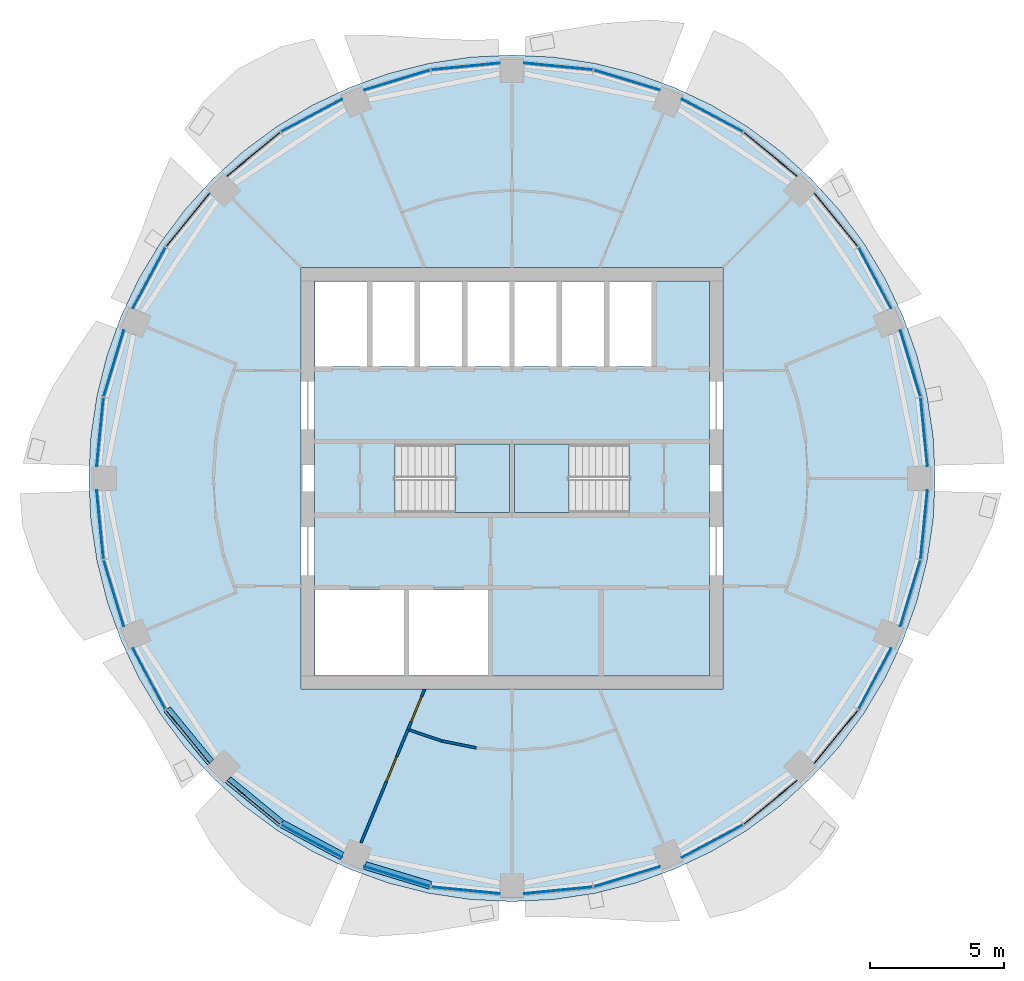
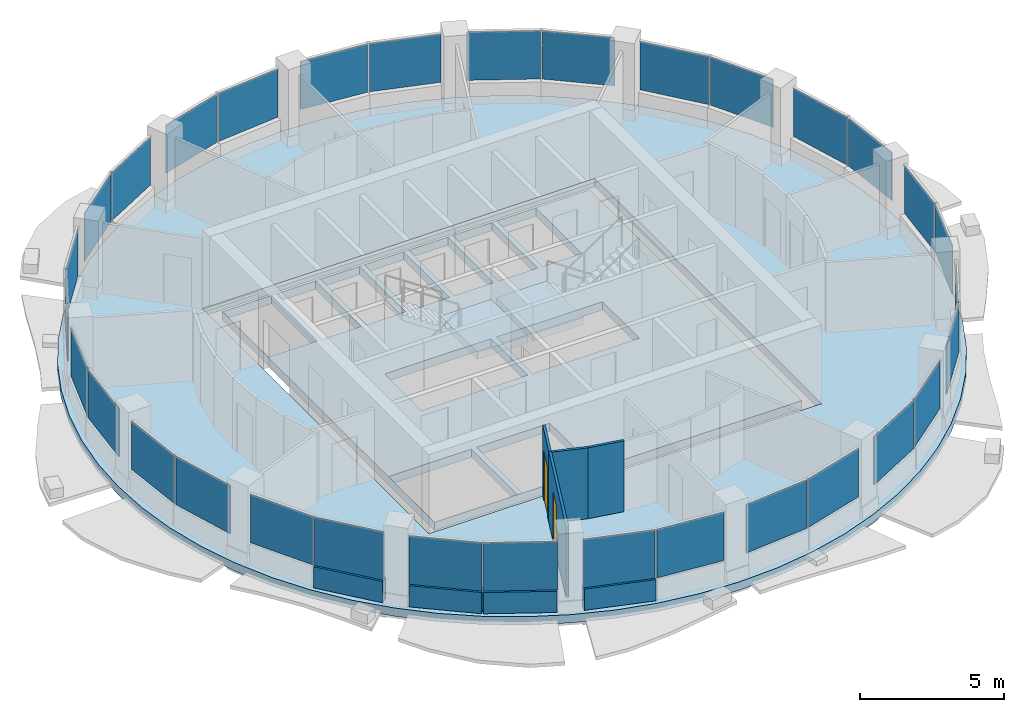
# One storey, part 6 of 14: 32 plates, 8 walls, 4 slabs, 2 doors, 2 openings, 18 elements without a shape of their own.
"""IFC4 building model written with IfcOpenShell, lengths in metres."""

from ifc_helpers import new_model, si_unit, direction, frame, frame_2d, origin, origin_2d, place, context, subcontext, project, spatial, polyline, rectangle, outline, extrude, material, layer, layer_set, type_object, element, fill, aggregate, save


model = new_model("IFC4")

# Units and contexts
model_context = context("Model", 3, precision=1e-05, world=origin(), true_north=direction((0.0, 1.0)))
body_context = subcontext(model_context, "Body", "Model", "MODEL_VIEW")
ifc_project = project(units=[si_unit("LENGTHUNIT", "METRE"), si_unit("AREAUNIT", "SQUARE_METRE"), si_unit("VOLUMEUNIT", "CUBIC_METRE"), si_unit("PLANEANGLEUNIT", "RADIAN"), si_unit("MASSUNIT", "GRAM", prefix="KILO")], contexts=[model_context])

# Site, building, storey
site_placement = place(None, origin())
site = spatial("IfcSite", under=ifc_project, at=site_placement, CompositionType="ELEMENT")
building_placement = place(site_placement, origin())
building = spatial("IfcBuilding", under=site, at=building_placement, Name="Polderwave Tower", CompositionType="ELEMENT")
storey_placement = place(building_placement, frame((0.0, 0.0, 217.800048828125)))
storey = spatial("IfcBuildingStorey", under=building, at=storey_placement, Name="L59", CompositionType="ELEMENT", Elevation=217.800048828125)

# Slab
ifc_material_1 = material(Name="Concrete C40/50", Category="concrete")
ifc_layer_1 = layer(ifc_material_1, 0.35009765625)
ifc_layer_set_1 = layer_set([ifc_layer_1], Name="Core floor slab 350")
slab_type_1 = type_object("IfcSlabType", Name="Core floor slab 350", PredefinedType="FLOOR", material=ifc_layer_set_1)
slab_1_placement = place(storey_placement, frame((0.0, 0.0, -0.35009765625)))
element("IfcSlab", 1, at=slab_1_placement, inside=storey, type_object=slab_type_1, Name="L59 core floor", PredefinedType="FLOOR", context=body_context, shape_type="SweptSolid", body=[
    extrude(outline(polyline([(-7.3740234375, -7.3740234375), (7.3740234375, -7.3740234375), (7.3740234375, 7.3740234375), (-7.3740234375, 7.3740234375), (-7.3740234375, -7.3740234375)]), holes=[polyline([(-7.35400390625, -7.35400390625), (-4.037109375, -7.35400390625), (-4.037109375, -4.174072265625), (-7.35400390625, -4.174072265625), (-7.35400390625, -7.35400390625)]), polyline([(-3.8369140625, -7.35400390625), (-0.89990234375, -7.35400390625), (-0.89990234375, -4.174072265625), (-3.8369140625, -4.174072265625), (-3.8369140625, -7.35400390625)]), polyline([(-7.35400390625, 4.174072265625), (-5.405517578125, 4.174072265625), (-5.405517578125, 7.35400390625), (-7.35400390625, 7.35400390625), (-7.35400390625, 4.174072265625)]), polyline([(-5.20556640625, 4.174072265625), (-3.636962890625, 4.174072265625), (-3.636962890625, 7.35400390625), (-5.20556640625, 7.35400390625), (-5.20556640625, 4.174072265625)]), polyline([(-3.43701171875, 4.174072265625), (-1.868408203125, 4.174072265625), (-1.868408203125, 7.35400390625), (-3.43701171875, 7.35400390625), (-3.43701171875, 4.174072265625)]), polyline([(-1.66845703125, 4.174072265625), (-0.10009765625, 4.174072265625), (-0.10009765625, 7.35400390625), (-1.66845703125, 7.35400390625), (-1.66845703125, 4.174072265625)]), polyline([(0.10009765625, 4.174072265625), (1.66845703125, 4.174072265625), (1.66845703125, 7.35400390625), (0.10009765625, 7.35400390625), (0.10009765625, 4.174072265625)]), polyline([(1.868408203125, 4.174072265625), (3.43701171875, 4.174072265625), (3.43701171875, 7.35400390625), (1.868408203125, 7.35400390625), (1.868408203125, 4.174072265625)]), polyline([(3.636962890625, 4.174072265625), (5.20556640625, 4.174072265625), (5.20556640625, 7.35400390625), (3.636962890625, 7.35400390625), (3.636962890625, 4.174072265625)]), polyline([(-4.37353515625, -1.2744140625), (-0.1005859375, -1.2744140625), (-0.1005859375, 1.2744140625), (-4.37353515625, 1.2744140625), (-4.37353515625, -1.2744140625)]), polyline([(0.1005859375, -1.2744140625), (4.37353515625, -1.2744140625), (4.37353515625, 1.2744140625), (0.1005859375, 1.2744140625), (0.1005859375, -1.2744140625)])]), origin(), (0.0, 0.0, 1.0), 0.35009765625),
])

# Curtain wall, plates
ifc_material_2 = material(Name="Aluminium 6063-T6 and glass", Category="aluminium")
curtain_wall_type = type_object("IfcCurtainWallType", Name="Office ribbon glazing wall", PredefinedType="NOTDEFINED", material=ifc_material_2)
curtain_wall_1_placement = place(storey_placement, origin())
curtain_wall_1 = element("IfcCurtainWall", 2, at=curtain_wall_1_placement, inside=storey, type_object=curtain_wall_type, Name="CW3 L59 00", PredefinedType="NOTDEFINED")
ifc_material_3 = material(Name="Glass, low-e laminated double glazing", Category="glass")
ifc_layer_2 = layer(ifc_material_3, 0.031982421875)
ifc_layer_set_2 = layer_set([ifc_layer_2], Name="Office ribbon glazing glass panel 32 mm")
plate_type = type_object("IfcPlateType", Name="Office ribbon glazing glass panel 32 mm", PredefinedType="CURTAIN_PANEL", material=ifc_layer_set_2)
plate_1_placement = place(storey_placement, frame((15.3798828125, 1.728271484375, 0.89990234375), z_axis=(0.0, 0.0, 1.0), x_axis=(-0.098206463381, 0.995166061796, 0.0)))
plate_1 = element("IfcPlate", 3, at=plate_1_placement, type_object=plate_type, Name="CW3 panel 1", PredefinedType="CURTAIN_PANEL", context=body_context, shape_type="SweptSolid", body=[
    extrude(rectangle(XDim=2.569091796875, YDim=0.031982421875, at=origin_2d()), origin(), (0.0, 0.0, 1.0), 2.0400390625),
])
plate_2_placement = place(storey_placement, frame((14.87060546875, 4.289306640625, 0.89990234375), z_axis=(0.0, 0.0, 1.0), x_axis=(-0.290104293095, 0.956995036104, 0.0)))
plate_2 = element("IfcPlate", 4, at=plate_2_placement, type_object=plate_type, Name="CW3 panel 2", PredefinedType="CURTAIN_PANEL", context=body_context, shape_type="SweptSolid", body=[
    extrude(rectangle(XDim=2.568115234375, YDim=0.031982421875, at=origin_2d()), origin(), (0.0, 0.0, 1.0), 2.0400390625),
])
aggregate(curtain_wall_1, [plate_1, plate_2])

curtain_wall_2_placement = place(storey_placement, origin())
curtain_wall_2 = element("IfcCurtainWall", 5, at=curtain_wall_2_placement, inside=storey, type_object=curtain_wall_type, Name="CW3 L59 01", PredefinedType="NOTDEFINED")
plate_3_placement = place(storey_placement, frame((13.547607421875, 7.482421875, 0.89990234375), z_axis=(0.0, 0.0, 1.0), x_axis=(-0.471547575742, 0.881840622682, 0.0)))
plate_3 = element("IfcPlate", 6, at=plate_3_placement, type_object=plate_type, Name="CW3 panel 1", PredefinedType="CURTAIN_PANEL", context=body_context, shape_type="SweptSolid", body=[
    extrude(rectangle(XDim=2.568115234375, YDim=0.031982421875, at=origin_2d()), origin(), (0.0, 0.0, 1.0), 2.0400390625),
])
plate_4_placement = place(storey_placement, frame((12.0966796875, 9.653076171875, 0.89990234375), z_axis=(0.0, 0.0, 1.0), x_axis=(-0.634370348203, 0.77302927585, 0.0)))
plate_4 = element("IfcPlate", 7, at=plate_4_placement, type_object=plate_type, Name="CW3 panel 2", PredefinedType="CURTAIN_PANEL", context=body_context, shape_type="SweptSolid", body=[
    extrude(rectangle(XDim=2.56884765625, YDim=0.031982421875, at=origin_2d()), origin(), (0.0, 0.0, 1.0), 2.0400390625),
])
aggregate(curtain_wall_2, [plate_3, plate_4])

curtain_wall_3_placement = place(storey_placement, origin())
curtain_wall_3 = element("IfcCurtainWall", 8, at=curtain_wall_3_placement, inside=storey, type_object=curtain_wall_type, Name="CW3 L59 02", PredefinedType="NOTDEFINED")
plate_5_placement = place(storey_placement, frame((9.653076171875, 12.0966796875, 0.89990234375), z_axis=(0.0, 0.0, 1.0), x_axis=(-0.77302927585, 0.634370348203, 0.0)))
plate_5 = element("IfcPlate", 9, at=plate_5_placement, type_object=plate_type, Name="CW3 panel 1", PredefinedType="CURTAIN_PANEL", context=body_context, shape_type="SweptSolid", body=[
    extrude(rectangle(XDim=2.56884765625, YDim=0.031982421875, at=origin_2d()), origin(), (0.0, 0.0, 1.0), 2.0400390625),
])
plate_6_placement = place(storey_placement, frame((7.482421875, 13.547607421875, 0.89990234375), z_axis=(0.0, 0.0, 1.0), x_axis=(-0.881840622682, 0.471547575742, 0.0)))
plate_6 = element("IfcPlate", 10, at=plate_6_placement, type_object=plate_type, Name="CW3 panel 2", PredefinedType="CURTAIN_PANEL", context=body_context, shape_type="SweptSolid", body=[
    extrude(rectangle(XDim=2.568115234375, YDim=0.031982421875, at=origin_2d()), origin(), (0.0, 0.0, 1.0), 2.0400390625),
])
aggregate(curtain_wall_3, [plate_5, plate_6])

curtain_wall_4_placement = place(storey_placement, origin())
curtain_wall_4 = element("IfcCurtainWall", 11, at=curtain_wall_4_placement, inside=storey, type_object=curtain_wall_type, Name="CW3 L59 03", PredefinedType="NOTDEFINED")
plate_7_placement = place(storey_placement, frame((4.289306640625, 14.87060546875, 0.89990234375), z_axis=(0.0, 0.0, 1.0), x_axis=(-0.956995036104, 0.290104293095, 0.0)))
plate_7 = element("IfcPlate", 12, at=plate_7_placement, type_object=plate_type, Name="CW3 panel 1", PredefinedType="CURTAIN_PANEL", context=body_context, shape_type="SweptSolid", body=[
    extrude(rectangle(XDim=2.568115234375, YDim=0.031982421875, at=origin_2d()), origin(), (0.0, 0.0, 1.0), 2.0400390625),
])
plate_8_placement = place(storey_placement, frame((1.728271484375, 15.3798828125, 0.89990234375), z_axis=(0.0, 0.0, 1.0), x_axis=(-0.995166061796, 0.098206463381, 0.0)))
plate_8 = element("IfcPlate", 13, at=plate_8_placement, type_object=plate_type, Name="CW3 panel 2", PredefinedType="CURTAIN_PANEL", context=body_context, shape_type="SweptSolid", body=[
    extrude(rectangle(XDim=2.569091796875, YDim=0.031982421875, at=origin_2d()), origin(), (0.0, 0.0, 1.0), 2.0400390625),
])
aggregate(curtain_wall_4, [plate_7, plate_8])

curtain_wall_5_placement = place(storey_placement, origin())
curtain_wall_5 = element("IfcCurtainWall", 14, at=curtain_wall_5_placement, inside=storey, type_object=curtain_wall_type, Name="CW3 L59 04", PredefinedType="NOTDEFINED")
plate_9_placement = place(storey_placement, frame((-1.728271484375, 15.3798828125, 0.89990234375), z_axis=(0.0, 0.0, 1.0), x_axis=(-0.995166061796, -0.098206463381, 0.0)))
plate_9 = element("IfcPlate", 15, at=plate_9_placement, type_object=plate_type, Name="CW3 panel 1", PredefinedType="CURTAIN_PANEL", context=body_context, shape_type="SweptSolid", body=[
    extrude(rectangle(XDim=2.569091796875, YDim=0.031982421875, at=origin_2d()), origin(), (0.0, 0.0, 1.0), 2.0400390625),
])
plate_10_placement = place(storey_placement, frame((-4.289306640625, 14.87060546875, 0.89990234375), z_axis=(0.0, 0.0, 1.0), x_axis=(-0.956995036104, -0.290104293095, 0.0)))
plate_10 = element("IfcPlate", 16, at=plate_10_placement, type_object=plate_type, Name="CW3 panel 2", PredefinedType="CURTAIN_PANEL", context=body_context, shape_type="SweptSolid", body=[
    extrude(rectangle(XDim=2.568115234375, YDim=0.031982421875, at=origin_2d()), origin(), (0.0, 0.0, 1.0), 2.0400390625),
])
aggregate(curtain_wall_5, [plate_9, plate_10])

curtain_wall_6_placement = place(storey_placement, origin())
curtain_wall_6 = element("IfcCurtainWall", 17, at=curtain_wall_6_placement, inside=storey, type_object=curtain_wall_type, Name="CW3 L59 05", PredefinedType="NOTDEFINED")
plate_11_placement = place(storey_placement, frame((-7.482421875, 13.547607421875, 0.89990234375), z_axis=(0.0, 0.0, 1.0), x_axis=(-0.881840622682, -0.471547575742, 0.0)))
plate_11 = element("IfcPlate", 18, at=plate_11_placement, type_object=plate_type, Name="CW3 panel 1", PredefinedType="CURTAIN_PANEL", context=body_context, shape_type="SweptSolid", body=[
    extrude(rectangle(XDim=2.568115234375, YDim=0.031982421875, at=origin_2d()), origin(), (0.0, 0.0, 1.0), 2.0400390625),
])
plate_12_placement = place(storey_placement, frame((-9.653076171875, 12.0966796875, 0.89990234375), z_axis=(0.0, 0.0, 1.0), x_axis=(-0.77302927585, -0.634370348203, 0.0)))
plate_12 = element("IfcPlate", 19, at=plate_12_placement, type_object=plate_type, Name="CW3 panel 2", PredefinedType="CURTAIN_PANEL", context=body_context, shape_type="SweptSolid", body=[
    extrude(rectangle(XDim=2.56884765625, YDim=0.031982421875, at=origin_2d()), origin(), (0.0, 0.0, 1.0), 2.0400390625),
])
aggregate(curtain_wall_6, [plate_11, plate_12])

curtain_wall_7_placement = place(storey_placement, origin())
curtain_wall_7 = element("IfcCurtainWall", 20, at=curtain_wall_7_placement, inside=storey, type_object=curtain_wall_type, Name="CW3 L59 06", PredefinedType="NOTDEFINED")
plate_13_placement = place(storey_placement, frame((-12.0966796875, 9.653076171875, 0.89990234375), z_axis=(0.0, 0.0, 1.0), x_axis=(-0.634370348203, -0.77302927585, 0.0)))
plate_13 = element("IfcPlate", 21, at=plate_13_placement, type_object=plate_type, Name="CW3 panel 1", PredefinedType="CURTAIN_PANEL", context=body_context, shape_type="SweptSolid", body=[
    extrude(rectangle(XDim=2.56884765625, YDim=0.031982421875, at=origin_2d()), origin(), (0.0, 0.0, 1.0), 2.0400390625),
])
plate_14_placement = place(storey_placement, frame((-13.547607421875, 7.482421875, 0.89990234375), z_axis=(0.0, 0.0, 1.0), x_axis=(-0.471547575742, -0.881840622682, 0.0)))
plate_14 = element("IfcPlate", 22, at=plate_14_placement, type_object=plate_type, Name="CW3 panel 2", PredefinedType="CURTAIN_PANEL", context=body_context, shape_type="SweptSolid", body=[
    extrude(rectangle(XDim=2.568115234375, YDim=0.031982421875, at=origin_2d()), origin(), (0.0, 0.0, 1.0), 2.0400390625),
])
aggregate(curtain_wall_7, [plate_13, plate_14])

curtain_wall_8_placement = place(storey_placement, origin())
curtain_wall_8 = element("IfcCurtainWall", 23, at=curtain_wall_8_placement, inside=storey, type_object=curtain_wall_type, Name="CW3 L59 07", PredefinedType="NOTDEFINED")
plate_15_placement = place(storey_placement, frame((-14.87060546875, 4.289306640625, 0.89990234375), z_axis=(0.0, 0.0, 1.0), x_axis=(-0.290104293095, -0.956995036104, 0.0)))
plate_15 = element("IfcPlate", 24, at=plate_15_placement, type_object=plate_type, Name="CW3 panel 1", PredefinedType="CURTAIN_PANEL", context=body_context, shape_type="SweptSolid", body=[
    extrude(rectangle(XDim=2.568115234375, YDim=0.031982421875, at=origin_2d()), origin(), (0.0, 0.0, 1.0), 2.0400390625),
])
plate_16_placement = place(storey_placement, frame((-15.3798828125, 1.728271484375, 0.89990234375), z_axis=(0.0, 0.0, 1.0), x_axis=(-0.098206463381, -0.995166061796, 0.0)))
plate_16 = element("IfcPlate", 25, at=plate_16_placement, type_object=plate_type, Name="CW3 panel 2", PredefinedType="CURTAIN_PANEL", context=body_context, shape_type="SweptSolid", body=[
    extrude(rectangle(XDim=2.569091796875, YDim=0.031982421875, at=origin_2d()), origin(), (0.0, 0.0, 1.0), 2.0400390625),
])
aggregate(curtain_wall_8, [plate_15, plate_16])

curtain_wall_9_placement = place(storey_placement, origin())
curtain_wall_9 = element("IfcCurtainWall", 26, at=curtain_wall_9_placement, inside=storey, type_object=curtain_wall_type, Name="CW3 L59 08", PredefinedType="NOTDEFINED")
plate_17_placement = place(storey_placement, frame((-15.3798828125, -1.728271484375, 0.89990234375), z_axis=(0.0, 0.0, 1.0), x_axis=(0.098206463381, -0.995166061796, 0.0)))
plate_17 = element("IfcPlate", 27, at=plate_17_placement, type_object=plate_type, Name="CW3 panel 1", PredefinedType="CURTAIN_PANEL", context=body_context, shape_type="SweptSolid", body=[
    extrude(rectangle(XDim=2.569091796875, YDim=0.031982421875, at=origin_2d()), origin(), (0.0, 0.0, 1.0), 2.0400390625),
])
plate_18_placement = place(storey_placement, frame((-14.87060546875, -4.289306640625, 0.89990234375), z_axis=(0.0, 0.0, 1.0), x_axis=(0.290104293095, -0.956995036104, 0.0)))
plate_18 = element("IfcPlate", 28, at=plate_18_placement, type_object=plate_type, Name="CW3 panel 2", PredefinedType="CURTAIN_PANEL", context=body_context, shape_type="SweptSolid", body=[
    extrude(rectangle(XDim=2.568115234375, YDim=0.031982421875, at=origin_2d()), origin(), (0.0, 0.0, 1.0), 2.0400390625),
])
aggregate(curtain_wall_9, [plate_17, plate_18])

curtain_wall_10_placement = place(storey_placement, origin())
curtain_wall_10 = element("IfcCurtainWall", 29, at=curtain_wall_10_placement, inside=storey, type_object=curtain_wall_type, Name="CW3 L59 09", PredefinedType="NOTDEFINED")
plate_19_placement = place(storey_placement, frame((-13.547607421875, -7.482421875, 0.89990234375), z_axis=(0.0, 0.0, 1.0), x_axis=(0.471547575742, -0.881840622682, 0.0)))
plate_19 = element("IfcPlate", 30, at=plate_19_placement, type_object=plate_type, Name="CW3 panel 1", PredefinedType="CURTAIN_PANEL", context=body_context, shape_type="SweptSolid", body=[
    extrude(rectangle(XDim=2.568115234375, YDim=0.031982421875, at=origin_2d()), origin(), (0.0, 0.0, 1.0), 2.0400390625),
])
plate_20_placement = place(storey_placement, frame((-12.0966796875, -9.653076171875, 0.89990234375), z_axis=(0.0, 0.0, 1.0), x_axis=(0.634370348203, -0.77302927585, 0.0)))
plate_20 = element("IfcPlate", 31, at=plate_20_placement, type_object=plate_type, Name="CW3 panel 2", PredefinedType="CURTAIN_PANEL", context=body_context, shape_type="SweptSolid", body=[
    extrude(rectangle(XDim=2.56884765625, YDim=0.031982421875, at=origin_2d()), origin(), (0.0, 0.0, 1.0), 2.0400390625),
])
aggregate(curtain_wall_10, [plate_19, plate_20])

curtain_wall_11_placement = place(storey_placement, origin())
curtain_wall_11 = element("IfcCurtainWall", 32, at=curtain_wall_11_placement, inside=storey, type_object=curtain_wall_type, Name="CW3 L59 10", PredefinedType="NOTDEFINED")
plate_21_placement = place(storey_placement, frame((-9.653076171875, -12.0966796875, 0.89990234375), z_axis=(0.0, 0.0, 1.0), x_axis=(0.77302927585, -0.634370348203, 0.0)))
plate_21 = element("IfcPlate", 33, at=plate_21_placement, type_object=plate_type, Name="CW3 panel 1", PredefinedType="CURTAIN_PANEL", context=body_context, shape_type="SweptSolid", body=[
    extrude(rectangle(XDim=2.56884765625, YDim=0.031982421875, at=origin_2d()), origin(), (0.0, 0.0, 1.0), 2.0400390625),
])
plate_22_placement = place(storey_placement, frame((-7.482421875, -13.547607421875, 0.89990234375), z_axis=(0.0, 0.0, 1.0), x_axis=(0.881840622682, -0.471547575742, 0.0)))
plate_22 = element("IfcPlate", 34, at=plate_22_placement, type_object=plate_type, Name="CW3 panel 2", PredefinedType="CURTAIN_PANEL", context=body_context, shape_type="SweptSolid", body=[
    extrude(rectangle(XDim=2.568115234375, YDim=0.031982421875, at=origin_2d()), origin(), (0.0, 0.0, 1.0), 2.0400390625),
])
aggregate(curtain_wall_11, [plate_21, plate_22])

curtain_wall_12_placement = place(storey_placement, origin())
curtain_wall_12 = element("IfcCurtainWall", 35, at=curtain_wall_12_placement, inside=storey, type_object=curtain_wall_type, Name="CW3 L59 11", PredefinedType="NOTDEFINED")
plate_23_placement = place(storey_placement, frame((-4.289306640625, -14.87060546875, 0.89990234375), z_axis=(0.0, 0.0, 1.0), x_axis=(0.956995036104, -0.290104293095, 0.0)))
plate_23 = element("IfcPlate", 36, at=plate_23_placement, type_object=plate_type, Name="CW3 panel 1", PredefinedType="CURTAIN_PANEL", context=body_context, shape_type="SweptSolid", body=[
    extrude(rectangle(XDim=2.568115234375, YDim=0.031982421875, at=origin_2d()), origin(), (0.0, 0.0, 1.0), 2.0400390625),
])
plate_24_placement = place(storey_placement, frame((-1.728271484375, -15.3798828125, 0.89990234375), z_axis=(0.0, 0.0, 1.0), x_axis=(0.995166061796, -0.098206463381, 0.0)))
plate_24 = element("IfcPlate", 37, at=plate_24_placement, type_object=plate_type, Name="CW3 panel 2", PredefinedType="CURTAIN_PANEL", context=body_context, shape_type="SweptSolid", body=[
    extrude(rectangle(XDim=2.569091796875, YDim=0.031982421875, at=origin_2d()), origin(), (0.0, 0.0, 1.0), 2.0400390625),
])
aggregate(curtain_wall_12, [plate_23, plate_24])

curtain_wall_13_placement = place(storey_placement, origin())
curtain_wall_13 = element("IfcCurtainWall", 38, at=curtain_wall_13_placement, inside=storey, type_object=curtain_wall_type, Name="CW3 L59 12", PredefinedType="NOTDEFINED")
plate_25_placement = place(storey_placement, frame((1.728271484375, -15.3798828125, 0.89990234375), z_axis=(0.0, 0.0, 1.0), x_axis=(0.995166061796, 0.098206463381, 0.0)))
plate_25 = element("IfcPlate", 39, at=plate_25_placement, type_object=plate_type, Name="CW3 panel 1", PredefinedType="CURTAIN_PANEL", context=body_context, shape_type="SweptSolid", body=[
    extrude(rectangle(XDim=2.569091796875, YDim=0.031982421875, at=origin_2d()), origin(), (0.0, 0.0, 1.0), 2.0400390625),
])
plate_26_placement = place(storey_placement, frame((4.289306640625, -14.87060546875, 0.89990234375), z_axis=(0.0, 0.0, 1.0), x_axis=(0.956995036104, 0.290104293095, 0.0)))
plate_26 = element("IfcPlate", 40, at=plate_26_placement, type_object=plate_type, Name="CW3 panel 2", PredefinedType="CURTAIN_PANEL", context=body_context, shape_type="SweptSolid", body=[
    extrude(rectangle(XDim=2.568115234375, YDim=0.031982421875, at=origin_2d()), origin(), (0.0, 0.0, 1.0), 2.0400390625),
])
aggregate(curtain_wall_13, [plate_25, plate_26])

curtain_wall_14_placement = place(storey_placement, origin())
curtain_wall_14 = element("IfcCurtainWall", 41, at=curtain_wall_14_placement, inside=storey, type_object=curtain_wall_type, Name="CW3 L59 13", PredefinedType="NOTDEFINED")
plate_27_placement = place(storey_placement, frame((7.482421875, -13.547607421875, 0.89990234375), z_axis=(0.0, 0.0, 1.0), x_axis=(0.881840622682, 0.471547575742, 0.0)))
plate_27 = element("IfcPlate", 42, at=plate_27_placement, type_object=plate_type, Name="CW3 panel 1", PredefinedType="CURTAIN_PANEL", context=body_context, shape_type="SweptSolid", body=[
    extrude(rectangle(XDim=2.568115234375, YDim=0.031982421875, at=origin_2d()), origin(), (0.0, 0.0, 1.0), 2.0400390625),
])
plate_28_placement = place(storey_placement, frame((9.653076171875, -12.0966796875, 0.89990234375), z_axis=(0.0, 0.0, 1.0), x_axis=(0.77302927585, 0.634370348203, 0.0)))
plate_28 = element("IfcPlate", 43, at=plate_28_placement, type_object=plate_type, Name="CW3 panel 2", PredefinedType="CURTAIN_PANEL", context=body_context, shape_type="SweptSolid", body=[
    extrude(rectangle(XDim=2.56884765625, YDim=0.031982421875, at=origin_2d()), origin(), (0.0, 0.0, 1.0), 2.0400390625),
])
aggregate(curtain_wall_14, [plate_27, plate_28])

curtain_wall_15_placement = place(storey_placement, origin())
curtain_wall_15 = element("IfcCurtainWall", 44, at=curtain_wall_15_placement, inside=storey, type_object=curtain_wall_type, Name="CW3 L59 14", PredefinedType="NOTDEFINED")
plate_29_placement = place(storey_placement, frame((12.0966796875, -9.653076171875, 0.89990234375), z_axis=(0.0, 0.0, 1.0), x_axis=(0.634370348203, 0.77302927585, 0.0)))
plate_29 = element("IfcPlate", 45, at=plate_29_placement, type_object=plate_type, Name="CW3 panel 1", PredefinedType="CURTAIN_PANEL", context=body_context, shape_type="SweptSolid", body=[
    extrude(rectangle(XDim=2.56884765625, YDim=0.031982421875, at=origin_2d()), origin(), (0.0, 0.0, 1.0), 2.0400390625),
])
plate_30_placement = place(storey_placement, frame((13.547607421875, -7.482421875, 0.89990234375), z_axis=(0.0, 0.0, 1.0), x_axis=(0.471547575742, 0.881840622682, 0.0)))
plate_30 = element("IfcPlate", 46, at=plate_30_placement, type_object=plate_type, Name="CW3 panel 2", PredefinedType="CURTAIN_PANEL", context=body_context, shape_type="SweptSolid", body=[
    extrude(rectangle(XDim=2.568115234375, YDim=0.031982421875, at=origin_2d()), origin(), (0.0, 0.0, 1.0), 2.0400390625),
])
aggregate(curtain_wall_15, [plate_29, plate_30])

curtain_wall_16_placement = place(storey_placement, origin())
curtain_wall_16 = element("IfcCurtainWall", 47, at=curtain_wall_16_placement, inside=storey, type_object=curtain_wall_type, Name="CW3 L59 15", PredefinedType="NOTDEFINED")
plate_31_placement = place(storey_placement, frame((14.87060546875, -4.289306640625, 0.89990234375), z_axis=(0.0, 0.0, 1.0), x_axis=(0.290104293095, 0.956995036104, 0.0)))
plate_31 = element("IfcPlate", 48, at=plate_31_placement, type_object=plate_type, Name="CW3 panel 1", PredefinedType="CURTAIN_PANEL", context=body_context, shape_type="SweptSolid", body=[
    extrude(rectangle(XDim=2.568115234375, YDim=0.031982421875, at=origin_2d()), origin(), (0.0, 0.0, 1.0), 2.0400390625),
])
plate_32_placement = place(storey_placement, frame((15.3798828125, -1.728271484375, 0.89990234375), z_axis=(0.0, 0.0, 1.0), x_axis=(0.098206463381, 0.995166061796, 0.0)))
plate_32 = element("IfcPlate", 49, at=plate_32_placement, type_object=plate_type, Name="CW3 panel 2", PredefinedType="CURTAIN_PANEL", context=body_context, shape_type="SweptSolid", body=[
    extrude(rectangle(XDim=2.569091796875, YDim=0.031982421875, at=origin_2d()), origin(), (0.0, 0.0, 1.0), 2.0400390625),
])
aggregate(curtain_wall_16, [plate_31, plate_32])

# Slab
ifc_layer_3 = layer(ifc_material_1, 0.35009765625)
ifc_layer_set_3 = layer_set([ifc_layer_3], Name="PT FLOOR SLAB 350 C40/50")
slab_type_2 = type_object("IfcSlabType", Name="PT FLOOR SLAB 350 C40/50", PredefinedType="FLOOR", material=ifc_layer_set_3)
slab_2_placement = place(storey_placement, frame((0.0, 0.0, -0.35009765625)))
element("IfcSlab", 50, at=slab_2_placement, inside=storey, type_object=slab_type_2, Name="ST-SLAB-L59", PredefinedType="FLOOR", context=body_context, shape_type="SweptSolid", body=[
    extrude(outline(polyline([(15.800048828125, 0.0), (15.723876953125, 1.548583984375), (15.496337890625, 3.08251953125), (15.11962890625, 4.58642578125), (14.597412109375, 6.04638671875), (13.934326171875, 7.447998046875), (13.13720703125, 8.778076171875), (12.213623046875, 10.0234375), (11.17236328125, 11.17236328125), (10.0234375, 12.213623046875), (8.778076171875, 13.13720703125), (7.447998046875, 13.934326171875), (6.04638671875, 14.597412109375), (4.58642578125, 15.11962890625), (3.08251953125, 15.496337890625), (1.548583984375, 15.723876953125), (0.0, 15.800048828125), (-1.548583984375, 15.723876953125), (-3.08251953125, 15.496337890625), (-4.58642578125, 15.11962890625), (-6.04638671875, 14.597412109375), (-7.447998046875, 13.934326171875), (-8.778076171875, 13.13720703125), (-10.0234375, 12.213623046875), (-11.17236328125, 11.17236328125), (-12.213623046875, 10.0234375), (-13.13720703125, 8.778076171875), (-13.934326171875, 7.447998046875), (-14.597412109375, 6.04638671875), (-15.11962890625, 4.58642578125), (-15.496337890625, 3.08251953125), (-15.723876953125, 1.548583984375), (-15.800048828125, 0.0), (-15.723876953125, -1.548583984375), (-15.496337890625, -3.08251953125), (-15.11962890625, -4.58642578125), (-14.597412109375, -6.04638671875), (-13.934326171875, -7.447998046875), (-13.13720703125, -8.778076171875), (-12.213623046875, -10.0234375), (-11.17236328125, -11.17236328125), (-10.0234375, -12.213623046875), (-8.778076171875, -13.13720703125), (-7.447998046875, -13.934326171875), (-6.04638671875, -14.597412109375), (-4.58642578125, -15.11962890625), (-3.08251953125, -15.496337890625), (-1.548583984375, -15.723876953125), (0.0, -15.800048828125), (1.548583984375, -15.723876953125), (3.08251953125, -15.496337890625), (4.58642578125, -15.11962890625), (6.04638671875, -14.597412109375), (7.447998046875, -13.934326171875), (8.778076171875, -13.13720703125), (10.0234375, -12.213623046875), (11.17236328125, -11.17236328125), (12.213623046875, -10.0234375), (13.13720703125, -8.778076171875), (13.934326171875, -7.447998046875), (14.597412109375, -6.04638671875), (15.11962890625, -4.58642578125), (15.496337890625, -3.08251953125), (15.723876953125, -1.548583984375), (15.800048828125, 0.0)]), holes=[polyline([(-7.8740234375, -7.8740234375), (7.8740234375, -7.8740234375), (7.8740234375, 7.8740234375), (-7.8740234375, 7.8740234375), (-7.8740234375, -7.8740234375)])]), origin(), (0.0, 0.0, 1.0), 0.35009765625),
])

# Stair, slab
stair_type = type_object("IfcStairType", Name="Exit stair 1200 x 20 risers", PredefinedType="HALF_TURN_STAIR", material=ifc_material_1)
stair_1_placement = place(storey_placement, origin())
stair_1 = element("IfcStair", 51, at=stair_1_placement, inside=storey, type_object=stair_type, Name="L59 Exit stair A", PredefinedType="HALF_TURN_STAIR")
ifc_layer_4 = layer(ifc_material_1, 0.300048828125)
ifc_layer_set_4 = layer_set([ifc_layer_4], Name="Stair landing 300")
slab_type_3 = type_object("IfcSlabType", Name="Stair landing 300", PredefinedType="LANDING", material=ifc_layer_set_4)
slab_3_placement = place(storey_placement, frame((0.0, 0.0, 1.375)))
slab_3 = element("IfcSlab", 52, at=slab_3_placement, type_object=slab_type_3, Name="ST-A landing 1", PredefinedType="LANDING", context=body_context, shape_type="SweptSolid", body=[
    extrude(outline(polyline([(-2.1240234375, -1.27490234375), (-0.10009765625, -1.27490234375), (-0.10009765625, 1.27490234375), (-2.1240234375, 1.27490234375), (-2.1240234375, -1.27490234375)])), origin(), (0.0, 0.0, 1.0), 0.300048828125),
])
aggregate(stair_1, [slab_3])

stair_2_placement = place(storey_placement, origin())
stair_2 = element("IfcStair", 53, at=stair_2_placement, inside=storey, type_object=stair_type, Name="L59 Exit stair B", PredefinedType="HALF_TURN_STAIR")
slab_4_placement = place(storey_placement, frame((0.0, 0.0, 1.375)))
slab_4 = element("IfcSlab", 54, at=slab_4_placement, type_object=slab_type_3, Name="ST-B landing 1", PredefinedType="LANDING", context=body_context, shape_type="SweptSolid", body=[
    extrude(outline(polyline([(2.1240234375, 1.27490234375), (0.10009765625, 1.27490234375), (0.10009765625, -1.27490234375), (2.1240234375, -1.27490234375), (2.1240234375, 1.27490234375)])), origin(), (0.0, 0.0, 1.0), 0.300048828125),
])
aggregate(stair_2, [slab_4])

# Walls
ifc_material_4 = material(Name="Concrete C50/60 (board-marked)", Category="concrete")
ifc_layer_5 = layer(ifc_material_4, 0.300048828125)
ifc_layer_set_5 = layer_set([ifc_layer_5], Name="Concrete spandrel upstand C50/60")
wall_type_1 = type_object("IfcWallType", Name="Concrete spandrel upstand C50/60", PredefinedType="SOLIDWALL", material=ifc_layer_set_5)
for number, where, z_axis, x_axis, name in (
    (55, (-12.87744140625, -8.62255859375, 0.0), (0.0, 0.0, 1.0), (0.634089861662, -0.773259366149, 0.0), "Spandrel L59 10b"),
    (56, (-10.600341796875, -11.255615234375, 0.0), (0.0, 0.0, 1.0), (0.773259366149, -0.634089861662, 0.0), "Spandrel L59 11a"),
):
    element("IfcWall", number, at=place(storey_placement, frame(where, z_axis=z_axis, x_axis=x_axis)), inside=storey, type_object=wall_type_1, Name=name, PredefinedType="SOLIDWALL", context=body_context, shape_type="SweptSolid", body=[
        extrude(rectangle(XDim=2.5576171875, YDim=0.300048828125, at=frame_2d((1.27880859375, 0.0))), origin(), (0.0, 0.0, 1.0), 0.89990234375),
    ])
wall_1_placement = place(storey_placement, frame((-8.597900390625, -12.89404296875, 0.0), z_axis=(0.0, 0.0, 1.0), x_axis=(0.881810499649, -0.471603904468, 0.0)))
element("IfcWall", 57, at=wall_1_placement, inside=storey, type_object=wall_type_1, Name="Spandrel L59 11b", PredefinedType="SOLIDWALL", context=body_context, shape_type="SweptSolid", body=[
    extrude(rectangle(XDim=2.556884765625, YDim=0.300048828125, at=frame_2d((1.2783203125, 0.0))), origin(), (0.0, 0.0, 1.0), 0.89990234375),
])
wall_2_placement = place(storey_placement, frame((-5.485595703125, -14.455322265625, 0.0), z_axis=(0.0, 0.0, 1.0), x_axis=(0.956960147557, -0.290219358397, 0.0)))
element("IfcWall", 58, at=wall_2_placement, inside=storey, type_object=wall_type_1, Name="Spandrel L59 12a", PredefinedType="SOLIDWALL", context=body_context, shape_type="SweptSolid", body=[
    extrude(rectangle(XDim=2.557373046875, YDim=0.300048828125, at=frame_2d((1.27880859375, 0.0))), origin(), (0.0, 0.0, 1.0), 0.89990234375),
])

# Wall, opening, door
ifc_material_5 = material(Name="Plasterboard on steel studs", Category="steel")
ifc_layer_6 = layer(ifc_material_5, 0.10009765625)
ifc_layer_set_6 = layer_set([ifc_layer_6], Name="Partition 100 mm plasterboard on steel studs")
wall_type_2 = type_object("IfcWallType", Name="Partition 100 mm plasterboard on steel studs", PredefinedType="PARTITIONING", material=ifc_layer_set_6)
wall_3_placement = place(storey_placement, frame((-3.261474609375, -7.8740234375, 0.0), z_axis=(0.0, 0.0, 1.0), x_axis=(-0.382718376354, -0.923865057463, 0.0)))
wall_3 = element("IfcWall", 59, at=wall_3_placement, inside=storey, type_object=wall_type_2, Name="IN-L59-W038", PredefinedType="PARTITIONING", context=body_context, shape_type="SweptSolid", body=[
    extrude(rectangle(XDim=1.627197265625, YDim=0.10009765625, at=frame_2d((0.8134765625, 0.0))), origin(), (0.0, 0.0, 1.0), 3.0),
])
opening_1_placement = place(wall_3_placement, frame((0.300048828125, 0.0, 0.0)))
opening_1 = element("IfcOpeningElement", 60, at=opening_1_placement, cuts=wall_3, Name="Opening L59-D63", PredefinedType="OPENING", context=body_context, shape_type="SweptSolid", body=[
    extrude(rectangle(XDim=1.0, YDim=2.10009765625, at=frame_2d((0.5, 1.050048828125))), frame((0.0, 0.06005859375, 0.0), z_axis=(0.0, -1.0, 0.0), x_axis=(1.0, 0.0, 0.0)), (0.0, 0.0, 1.0), 0.1201171875),
])
ifc_material_6 = material(Name="Timber veneer door leaf", Category="wood")
door_type = type_object("IfcDoorType", Name="Single door 1000 x 2100", OperationType="NOTDEFINED", PredefinedType="DOOR", material=ifc_material_6)
door_1_placement = place(opening_1_placement, origin())
door_1 = element("IfcDoor", 61, at=door_1_placement, inside=storey, type_object=door_type, Name="Door L59-D63", OperationType="SINGLE_SWING_LEFT", OverallHeight=2.10009765625, OverallWidth=1.0, PredefinedType="DOOR", context=body_context, shape_type="SweptSolid", body=[
    extrude(rectangle(XDim=1.0, YDim=2.10009765625, at=frame_2d((0.5, 1.050048828125))), frame((0.0, 0.02490234375, 0.0), z_axis=(0.0, -1.0, 0.0), x_axis=(1.0, 0.0, 0.0)), (0.0, 0.0, 1.0), 0.050048828125),
])
fill(opening_1, door_1)

wall_4_placement = place(storey_placement, frame((-3.88427734375, -9.37744140625, 0.0), z_axis=(0.0, 0.0, 1.0), x_axis=(-0.382664766489, -0.923887263949, 0.0)))
wall_4 = element("IfcWall", 62, at=wall_4_placement, inside=storey, type_object=wall_type_2, Name="IN-L59-W039", PredefinedType="PARTITIONING", context=body_context, shape_type="SweptSolid", body=[
    extrude(rectangle(XDim=4.570068359375, YDim=0.10009765625, at=frame_2d((2.28515625, 0.0))), origin(), (0.0, 0.0, 1.0), 3.0),
])
opening_2_placement = place(wall_4_placement, frame((1.10009765625, 0.0, 0.0)))
opening_2 = element("IfcOpeningElement", 63, at=opening_2_placement, cuts=wall_4, Name="Opening L59-D64", PredefinedType="OPENING", context=body_context, shape_type="SweptSolid", body=[
    extrude(rectangle(XDim=1.0, YDim=2.10009765625, at=frame_2d((0.5, 1.050048828125))), frame((0.0, 0.06005859375, 0.0), z_axis=(0.0, -1.0, 0.0), x_axis=(1.0, 0.0, 0.0)), (0.0, 0.0, 1.0), 0.1201171875),
])
door_2_placement = place(opening_2_placement, origin())
door_2 = element("IfcDoor", 64, at=door_2_placement, inside=storey, type_object=door_type, Name="Door L59-D64", OperationType="SINGLE_SWING_LEFT", OverallHeight=2.10009765625, OverallWidth=1.0, PredefinedType="DOOR", context=body_context, shape_type="SweptSolid", body=[
    extrude(rectangle(XDim=1.0, YDim=2.10009765625, at=frame_2d((0.5, 1.050048828125))), frame((0.0, 0.02490234375, 0.0), z_axis=(0.0, -1.0, 0.0), x_axis=(1.0, 0.0, 0.0)), (0.0, 0.0, 1.0), 0.050048828125),
])
fill(opening_2, door_2)

# Walls
wall_5_placement = place(storey_placement, frame((-2.630126953125, -9.802978515625, 0.0), z_axis=(0.0, 0.0, 1.0), x_axis=(-0.946940072487, 0.321410172706, 0.0)))
element("IfcWall", 65, at=wall_5_placement, inside=storey, type_object=wall_type_2, Name="IN-L59-W040", PredefinedType="PARTITIONING", context=body_context, shape_type="SweptSolid", body=[
    extrude(rectangle(XDim=1.270751953125, YDim=0.10009765625, at=frame_2d((0.63525390625, 0.0))), origin(), (0.0, 0.0, 1.0), 3.0),
])
wall_6_placement = place(storey_placement, frame((-1.327880859375, -10.0625, 0.0), z_axis=(0.0, 0.0, 1.0), x_axis=(-0.980779158075, 0.195121098517, 0.0)))
element("IfcWall", 66, at=wall_6_placement, inside=storey, type_object=wall_type_2, Name="IN-L59-W041", PredefinedType="PARTITIONING", context=body_context, shape_type="SweptSolid", body=[
    extrude(rectangle(XDim=1.3212890625, YDim=0.10009765625, at=frame_2d((0.66064453125, 0.0))), origin(), (0.0, 0.0, 1.0), 3.0),
])

save(model, "model.ifc")
